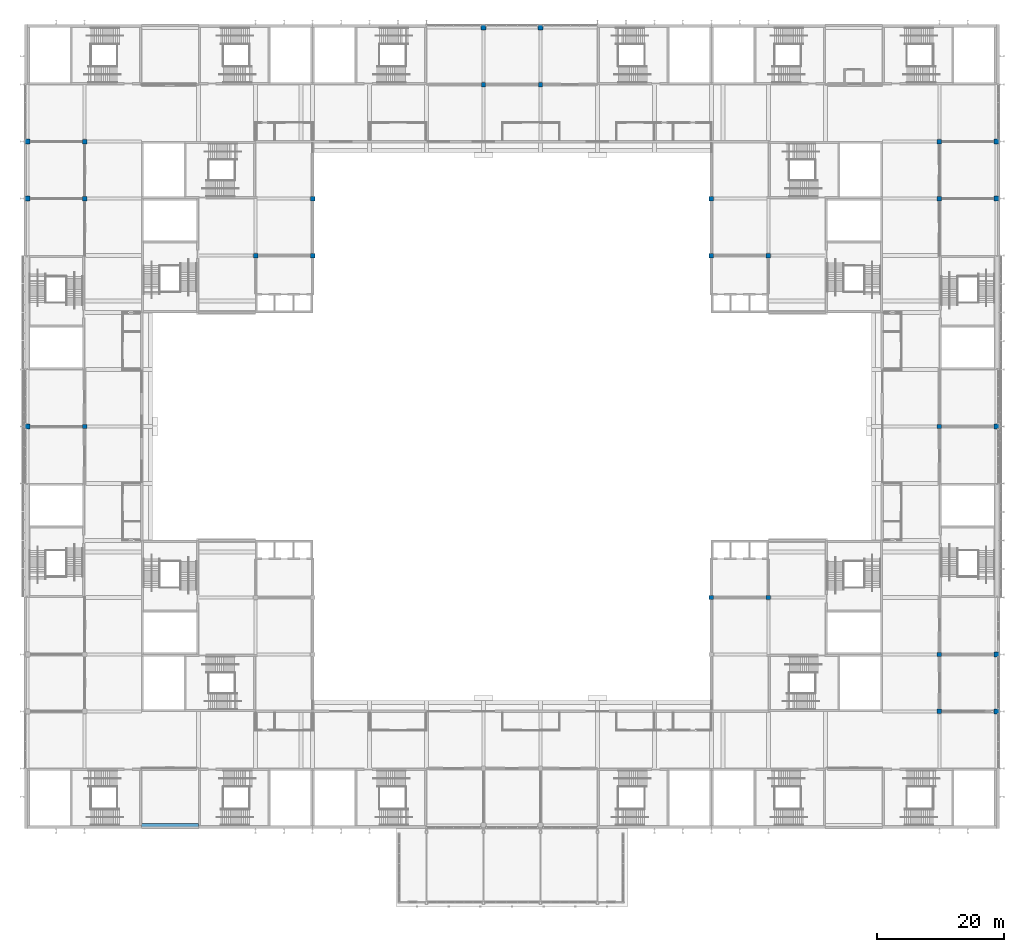
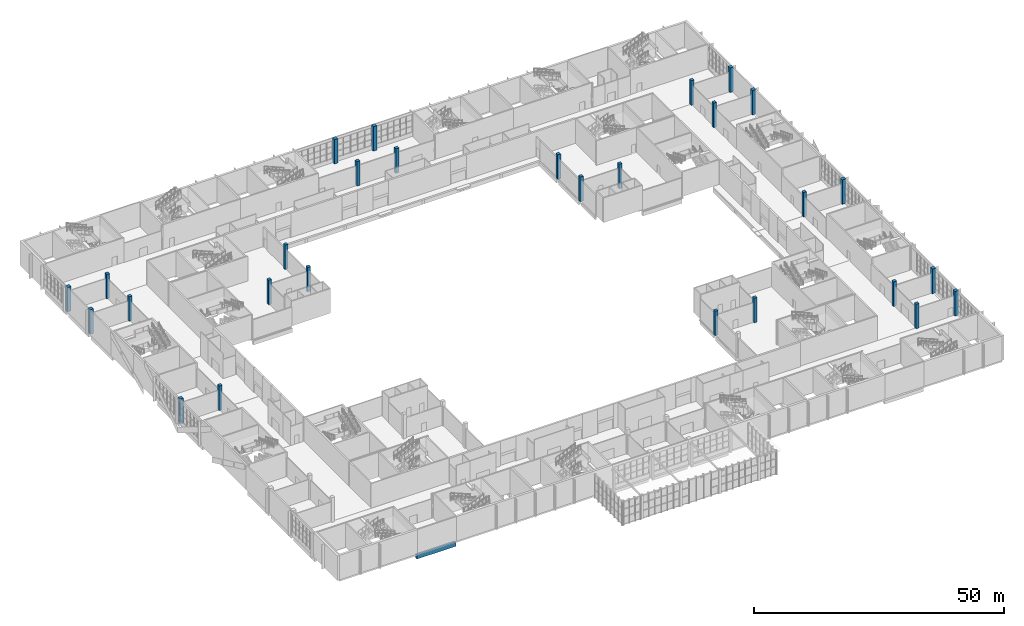
# One storey, part 5 of 89: 28 columns, 1 beam.
"""IFC4 building model written with IfcOpenShell, lengths in metres."""

from ifc_helpers import new_model, si_unit, direction, frame, origin, origin_2d, place, context, subcontext, project, spatial, rectangle, extrude, material, material_profile, profile_set, type_object, element, save


model = new_model("IFC4")

# Units and contexts
model_context = context("Model", 3, precision=1e-05, world=origin(), true_north=direction((0.0, 1.0)))
body_context = subcontext(model_context, "Body", "Model", "MODEL_VIEW")
ifc_project = project(units=[si_unit("LENGTHUNIT", "METRE"), si_unit("AREAUNIT", "SQUARE_METRE"), si_unit("VOLUMEUNIT", "CUBIC_METRE"), si_unit("PLANEANGLEUNIT", "RADIAN"), si_unit("MASSUNIT", "GRAM", prefix="KILO")], contexts=[model_context])

# Site, building, storey
site_placement = place(None, origin())
site = spatial("IfcSite", under=ifc_project, at=site_placement, CompositionType="ELEMENT")
building_placement = place(site_placement, origin())
building = spatial("IfcBuilding", under=site, at=building_placement, Name="Silverbay Arena", CompositionType="ELEMENT")
storey_placement = place(building_placement, frame((0.0, 0.0, 22.0)))
storey = spatial("IfcBuildingStorey", under=building, at=storey_placement, Name="L03", CompositionType="ELEMENT", Elevation=22.0)

# Columns
ifc_material_1 = material(Name="Concrete Grade C45", Category="concrete")
ifc_material_profile_1 = material_profile(ifc_material_1, rectangle(XDim=0.699951171875, YDim=0.699951171875, at=origin_2d()), Name="RC 700x700")
ifc_profile_set_1 = profile_set([ifc_material_profile_1], Name="Concrete Grade C45")
column_type_1 = type_object("IfcColumnType", Name="RC column 700x700", PredefinedType="COLUMN", material=ifc_profile_set_1)
for number, where, z_axis, x_axis, name in (
    (1, (126.0, 135.0, 0.0), (0.0, 0.0, 1.0), (1.0, 0.0, 0.0), "Column 15/R L03"),
    (2, (135.0, 135.0, 0.0), (0.0, 0.0, 1.0), (1.0, 0.0, 0.0), "Column 16/R L03"),
    (3, (198.0, 36.0, 0.0), (0.0, 0.0, 1.0), (1.0, 0.0, 0.0), "Column 23/E L03"),
    (4, (198.0, 45.0, 0.0), (0.0, 0.0, 1.0), (1.0, 0.0, 0.0), "Column 23/F L03"),
    (5, (63.0, 81.0, 0.0), (0.0, 0.0, 1.0), (1.0, 0.0, 0.0), "Column 8/K L03"),
    (6, (198.0, 81.0, 0.0), (0.0, 0.0, 1.0), (1.0, 0.0, 0.0), "Column 23/K L03"),
    (7, (63.0, 117.0, 0.0), (0.0, 0.0, 1.0), (1.0, 0.0, 0.0), "Column 8/P L03"),
    (8, (198.0, 117.0, 0.0), (0.0, 0.0, 1.0), (1.0, 0.0, 0.0), "Column 23/P L03"),
    (9, (63.0, 126.0, 0.0), (0.0, 0.0, 1.0), (1.0, 0.0, 0.0), "Column 8/Q L03"),
    (10, (198.0, 126.0, 0.0), (0.0, 0.0, 1.0), (1.0, 0.0, 0.0), "Column 23/Q L03"),
    (11, (162.0, 54.0, 0.0), (0.0, 0.0, 1.0), (1.0, 0.0, 0.0), "Column 19/G L03"),
    (12, (171.0, 54.0, 0.0), (0.0, 0.0, 1.0), (1.0, 0.0, 0.0), "Column 20/G L03"),
    (13, (90.0, 108.0, 0.0), (0.0, 0.0, 1.0), (1.0, 0.0, 0.0), "Column 11/N L03"),
    (14, (99.0, 108.0, 0.0), (0.0, 0.0, 1.0), (1.0, 0.0, 0.0), "Column 12/N L03"),
    (15, (99.0, 117.0, 0.0), (0.0, 0.0, 1.0), (1.0, 0.0, 0.0), "Column 12/P L03"),
    (16, (162.0, 108.0, 0.0), (0.0, 0.0, 1.0), (1.0, 0.0, 0.0), "Column 19/N L03"),
    (17, (162.0, 117.0, 0.0), (0.0, 0.0, 1.0), (1.0, 0.0, 0.0), "Column 19/P L03"),
    (18, (171.0, 108.0, 0.0), (0.0, 0.0, 1.0), (1.0, 0.0, 0.0), "Column 20/N L03"),
):
    element("IfcColumn", number, at=place(storey_placement, frame(where, z_axis=z_axis, x_axis=x_axis)), inside=storey, type_object=column_type_1, Name=name, PredefinedType="COLUMN", context=body_context, shape_type="SweptSolid", body=[
        extrude(rectangle(XDim=0.699951171875, YDim=0.699951171875, at=origin_2d()), origin(), (0.0, 0.0, 1.0), 6.0),
    ])
ifc_material_2 = material(Name="Concrete Grade C45", Category="concrete")
ifc_material_profile_2 = material_profile(ifc_material_2, rectangle(XDim=0.800048828125, YDim=0.800048828125, at=origin_2d()), Name="RC 800x800")
ifc_profile_set_2 = profile_set([ifc_material_profile_2], Name="Concrete Grade C45")
column_type_2 = type_object("IfcColumnType", Name="RC column 800x800", PredefinedType="COLUMN", material=ifc_profile_set_2)
for number, where, z_axis, x_axis, name in (
    (19, (126.0, 144.0, 0.0), (0.0, 0.0, 1.0), (1.0, 0.0, 0.0), "Column 15/S L03"),
    (20, (135.0, 144.0, 0.0), (0.0, 0.0, 1.0), (1.0, 0.0, 0.0), "Column 16/S L03"),
    (21, (207.0, 36.0, 0.0), (0.0, 0.0, 1.0), (1.0, 0.0, 0.0), "Column 24/E L03"),
    (22, (207.0, 45.0, 0.0), (0.0, 0.0, 1.0), (1.0, 0.0, 0.0), "Column 24/F L03"),
    (23, (54.0, 81.0, 0.0), (0.0, 0.0, 1.0), (1.0, 0.0, 0.0), "Column 7/K L03"),
    (24, (207.0, 81.0, 0.0), (0.0, 0.0, 1.0), (1.0, 0.0, 0.0), "Column 24/K L03"),
    (25, (54.0, 117.0, 0.0), (0.0, 0.0, 1.0), (1.0, 0.0, 0.0), "Column 7/P L03"),
    (26, (207.0, 117.0, 0.0), (0.0, 0.0, 1.0), (1.0, 0.0, 0.0), "Column 24/P L03"),
    (27, (54.0, 126.0, 0.0), (0.0, 0.0, 1.0), (1.0, 0.0, 0.0), "Column 7/Q L03"),
    (28, (207.0, 126.0, 0.0), (0.0, 0.0, 1.0), (1.0, 0.0, 0.0), "Column 24/Q L03"),
):
    element("IfcColumn", number, at=place(storey_placement, frame(where, z_axis=z_axis, x_axis=x_axis)), inside=storey, type_object=column_type_2, Name=name, PredefinedType="COLUMN", context=body_context, shape_type="SweptSolid", body=[
        extrude(rectangle(XDim=0.800048828125, YDim=0.800048828125, at=origin_2d()), origin(), (0.0, 0.0, 1.0), 6.0),
    ])

# Beam
ifc_material_3 = material(Name="Concrete Grade C45", Category="concrete")
ifc_material_profile_3 = material_profile(ifc_material_3, rectangle(XDim=0.60009765625, YDim=1.0, at=origin_2d()), Name="RC 600x1000")
ifc_profile_set_3 = profile_set([ifc_material_profile_3], Name="Concrete Grade C45")
beam_type = type_object("IfcBeamType", Name="RC beam 600x1000", PredefinedType="BEAM", material=ifc_profile_set_3)
beam_placement = place(storey_placement, frame((72.0, 18.0, -0.85009765625), z_axis=(1.0, 0.0, 0.0), x_axis=(0.0, 1.0, 0.0)))
element("IfcBeam", 29, at=beam_placement, inside=storey, type_object=beam_type, Name="Floor beam L03 001", PredefinedType="BEAM", context=body_context, shape_type="SweptSolid", body=[
    extrude(rectangle(XDim=0.60009765625, YDim=1.0, at=origin_2d()), origin(), (0.0, 0.0, 1.0), 9.0),
])

save(model, "model.ifc")
